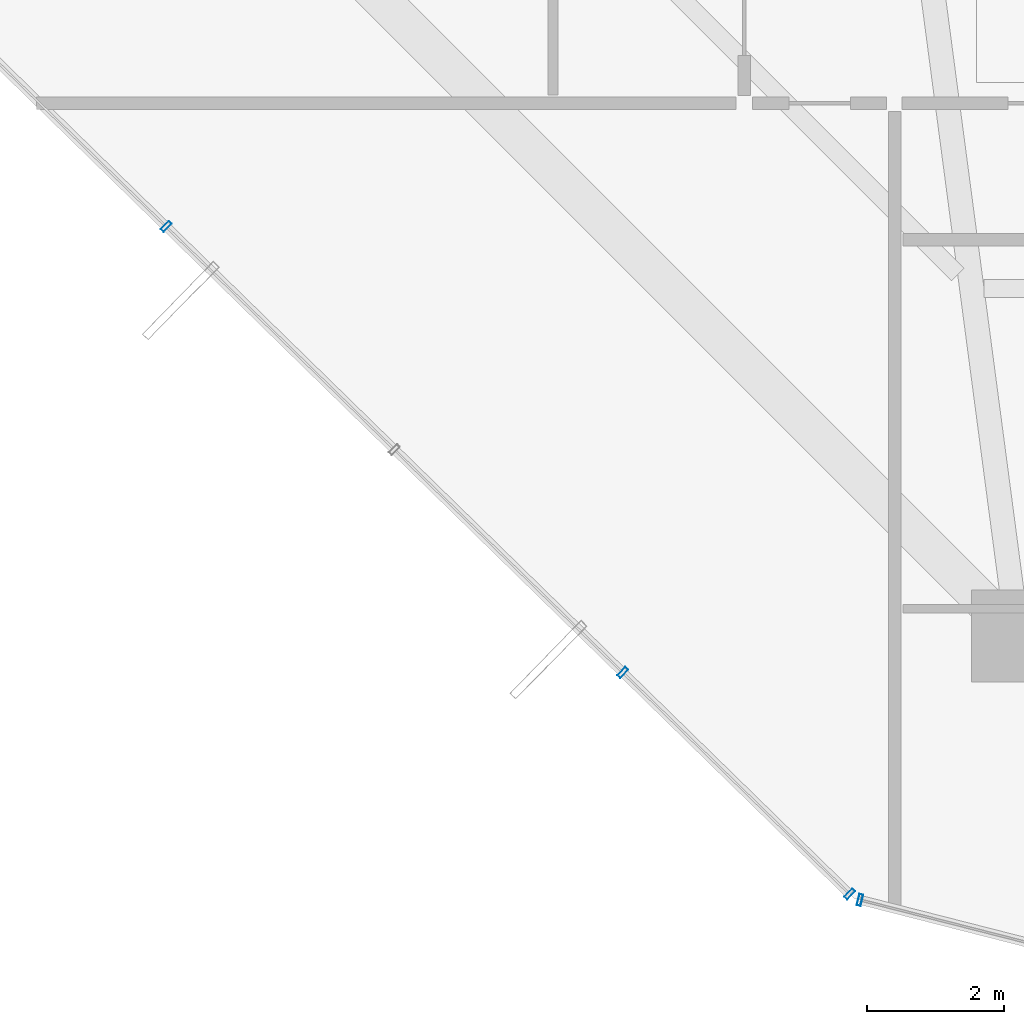
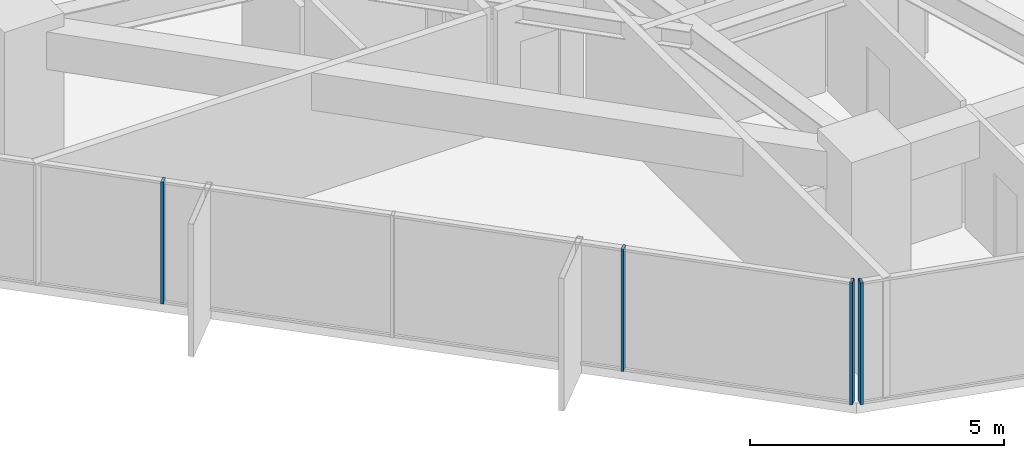
# One storey, part 4 of 39: 4 members, 2 elements without a shape of their own.
"""IFC4 building model written with IfcOpenShell, lengths in metres."""

from ifc_helpers import new_model, si_unit, direction, frame, origin, origin_2d, place, context, subcontext, project, spatial, hollow_rectangle, extrude, source, transform, mapped, material, layer, layer_set, material_profile, profile_set, type_object, element, aggregate, save


model = new_model("IFC4")

# Units and contexts
model_context = context("Model", 3, precision=1e-05, world=origin(), true_north=direction((0.0, 1.0)))
body_context = subcontext(model_context, "Body", "Model", "MODEL_VIEW")
ifc_project = project(units=[si_unit("LENGTHUNIT", "METRE"), si_unit("AREAUNIT", "SQUARE_METRE"), si_unit("VOLUMEUNIT", "CUBIC_METRE"), si_unit("PLANEANGLEUNIT", "RADIAN"), si_unit("MASSUNIT", "GRAM", prefix="KILO")], contexts=[model_context])

# Site, building, storey
site_placement = place(None, origin())
site = spatial("IfcSite", under=ifc_project, at=site_placement, CompositionType="ELEMENT")
building_placement = place(site_placement, origin())
building = spatial("IfcBuilding", under=site, at=building_placement, Name="Veraguas Prism Commons", CompositionType="ELEMENT")
storey_placement = place(building_placement, frame((0.0, 0.0, 77.10009765625)))
storey = spatial("IfcBuildingStorey", under=building, at=storey_placement, Name="L21", CompositionType="ELEMENT", Elevation=77.10009765625)

# Curtain wall, members
ifc_material = material(Name="Anodised aluminium EN AW-6063 T6", Category="aluminium")
ifc_layer = layer(ifc_material, 0.169921875, Name="Unitised Flush Curtain Wall Zone 1", Category="aluminium")
ifc_layer_set = layer_set([ifc_layer], Name="Anodised aluminium EN AW-6063 T6")
curtain_wall_type = type_object("IfcCurtainWallType", Name="Unitised Flush Curtain Wall Zone 1", PredefinedType="NOTDEFINED", material=ifc_layer_set)
curtain_wall_1_placement = place(storey_placement, origin())
curtain_wall_1 = element("IfcCurtainWall", 1, at=curtain_wall_1_placement, inside=storey, type_object=curtain_wall_type, Name="Tower Facade Curtain Wall L21-F4", PredefinedType="NOTDEFINED")
ifc_material_profile = material_profile(ifc_material, hollow_rectangle(XDim=0.06005859375, YDim=0.169921875, WallThickness=0.00390625, at=origin_2d()), Name="AL60X170X4")
ifc_profile_set = profile_set([ifc_material_profile], Name="Anodised aluminium EN AW-6063 T6")
member_type = type_object("IfcMemberType", Name="Curtain Wall Mullion Lower AL 60x170x4", PredefinedType="MULLION", material=ifc_profile_set)
shared_shape = source(origin(), body_context, "Body", "SweptSolid", [
    extrude(hollow_rectangle(XDim=0.06005859375, YDim=0.169921875, WallThickness=0.00390625, at=origin_2d()), origin(), (0.0, 0.0, 1.0), 2.929931640625),
])
member_1_placement = place(storey_placement, frame((6.13671875, 12.39306640625, 0.0), z_axis=(0.0, 0.0, 1.0), x_axis=(0.715448897181, -0.698665066769, 0.0)))
member_1 = element("IfcMember", 2, at=member_1_placement, type_object=member_type, Name="CW-Z1 Mullion 2", PredefinedType="MULLION", context=body_context, shape_type="MappedRepresentation", body=[
    mapped(shared_shape, transform((0.0, 0.0, 0.0), scale=1.0)),
])
member_2_placement = place(storey_placement, frame((12.8203125, 5.8662109375, 0.0), z_axis=(0.0, 0.0, 1.0), x_axis=(0.715448897181, -0.698665066769, 0.0)))
member_2 = element("IfcMember", 3, at=member_2_placement, type_object=member_type, Name="CW-Z1 Mullion 4", PredefinedType="MULLION", context=body_context, shape_type="MappedRepresentation", body=[
    mapped(shared_shape, transform((0.0, 0.0, 0.0), scale=1.0)),
])
member_3_placement = place(storey_placement, frame((16.140625, 2.623779296875, 0.0), z_axis=(0.0, 0.0, 1.0), x_axis=(0.715448897181, -0.698665066769, 0.0)))
member_3 = element("IfcMember", 4, at=member_3_placement, type_object=member_type, Name="CW-Z1 Mullion 5", PredefinedType="MULLION", context=body_context, shape_type="MappedRepresentation", body=[
    mapped(shared_shape, transform((0.0, 0.0, 0.0), scale=1.0)),
])
aggregate(curtain_wall_1, [member_1, member_2, member_3])

# Curtain wall, member
curtain_wall_2_placement = place(storey_placement, origin())
curtain_wall_2 = element("IfcCurtainWall", 5, at=curtain_wall_2_placement, inside=storey, type_object=curtain_wall_type, Name="Chamfer Curtain Wall L21-C5", PredefinedType="NOTDEFINED")
member_4_placement = place(storey_placement, frame((16.292236328125, 2.53857421875, 0.0), z_axis=(0.0, 0.0, 1.0), x_axis=(0.968927294991, -0.247345703463, 0.0)))
member_4 = element("IfcMember", 6, at=member_4_placement, type_object=member_type, Name="CW-Z1 Mullion 1", PredefinedType="MULLION", context=body_context, shape_type="MappedRepresentation", body=[
    mapped(shared_shape, transform((0.0, 0.0, 0.0), scale=1.0)),
])
aggregate(curtain_wall_2, [member_4])

save(model, "model.ifc")
